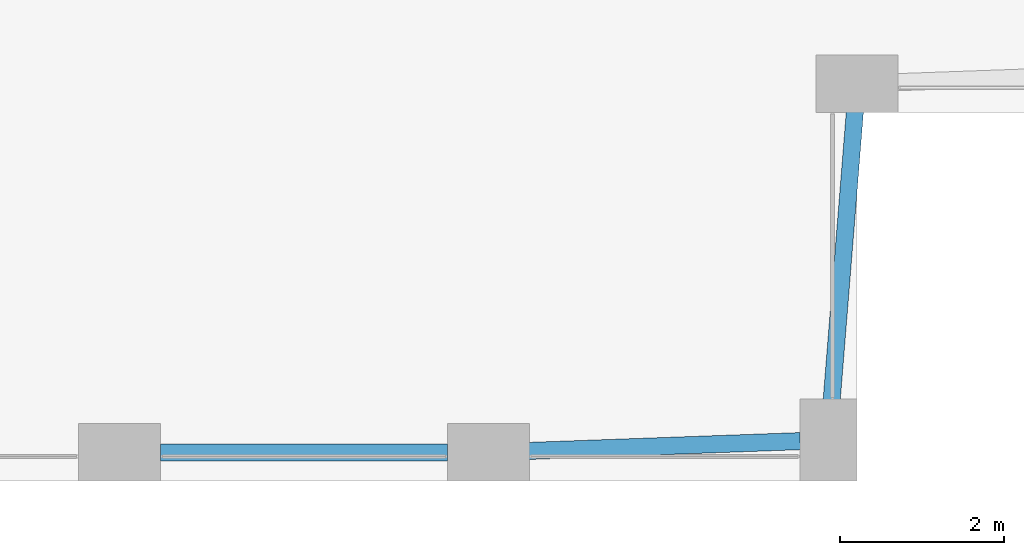
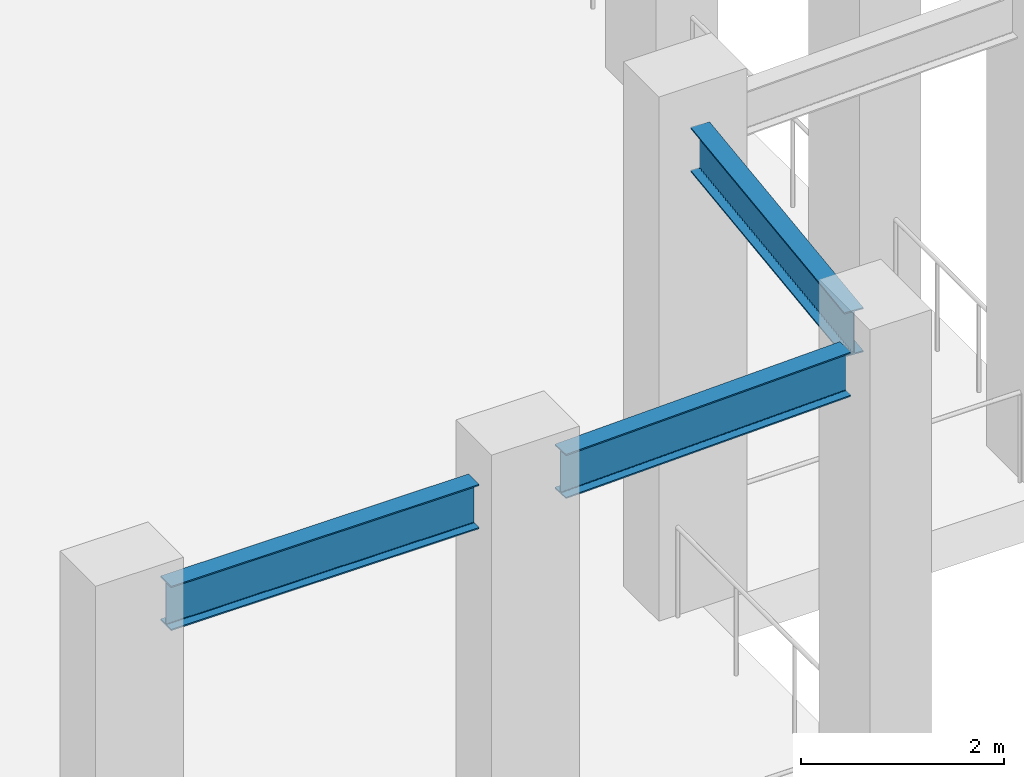
# One storey, part 4 of 14: 3 beams.
"""IFC4 building model written with IfcOpenShell, lengths in metres."""

from ifc_helpers import new_model, si_unit, direction, frame, origin, origin_2d, place, context, subcontext, project, spatial, i_section, extrude, material, material_profile, profile_set, type_object, element, save


model = new_model("IFC4")

# Units and contexts
model_context = context("Model", 3, precision=1e-05, world=origin(), true_north=direction((0.0, 1.0)))
body_context = subcontext(model_context, "Body", "Model", "MODEL_VIEW")
ifc_project = project(units=[si_unit("LENGTHUNIT", "METRE"), si_unit("AREAUNIT", "SQUARE_METRE"), si_unit("VOLUMEUNIT", "CUBIC_METRE"), si_unit("PLANEANGLEUNIT", "RADIAN"), si_unit("MASSUNIT", "GRAM", prefix="KILO")], contexts=[model_context])

# Site, building, storey
site_placement = place(None, origin())
site = spatial("IfcSite", under=ifc_project, at=site_placement, CompositionType="ELEMENT")
building_placement = place(site_placement, origin())
building = spatial("IfcBuilding", under=site, at=building_placement, Name="Brigalow Station Residences", CompositionType="ELEMENT")
storey_placement = place(building_placement, frame((0.0, 0.0, 185.39990234375)))
storey = spatial("IfcBuildingStorey", under=building, at=storey_placement, Name="L54", CompositionType="ELEMENT", Elevation=185.39990234375)

# Beams
ifc_material = material(Name="Steel Grade 300 to AS/NZS 3679.1", Category="steel")
ifc_material_profile = material_profile(ifc_material, i_section(OverallWidth=0.208984375, OverallDepth=0.532958984375, WebThickness=0.01025390625, FlangeThickness=0.015625, FilletRadius=0.013916015625, at=origin_2d()), Name="530UB92.4")
ifc_profile_set = profile_set([ifc_material_profile], Name="Steel Grade 300 to AS/NZS 3679.1")
beam_type = type_object("IfcBeamType", Name="BELT GIRDER 530UB92.4", PredefinedType="USERDEFINED", material=ifc_profile_set)
beam_1_placement = place(storey_placement, frame((59.0, 0.35009765625, 5.53369140625), z_axis=(1.0, 0.0, 0.0), x_axis=(0.0, 1.0, 0.0)))
element("IfcBeam", 1, at=beam_1_placement, inside=storey, type_object=beam_type, Name="BELT GIRDER 1 L54", ObjectType="BELT GIRDER", PredefinedType="USERDEFINED", context=body_context, shape_type="SweptSolid", body=[
    extrude(i_section(OverallWidth=0.208984375, OverallDepth=0.532958984375, WebThickness=0.01025390625, FlangeThickness=0.015625, FilletRadius=0.013916015625, at=origin_2d()), origin(), (0.0, 0.0, 1.0), 3.5),
])
beam_2_placement = place(storey_placement, frame((63.4951171875, 0.367919921875, 5.53369140625), z_axis=(0.999347456127, 0.036120104264, 0.0), x_axis=(-0.036120104264, 0.999347456127, 0.0)))
element("IfcBeam", 2, at=beam_2_placement, inside=storey, type_object=beam_type, Name="BELT GIRDER 2 L54", ObjectType="BELT GIRDER", PredefinedType="USERDEFINED", context=body_context, shape_type="SweptSolid", body=[
    extrude(i_section(OverallWidth=0.208984375, OverallDepth=0.532958984375, WebThickness=0.01025390625, FlangeThickness=0.015625, FilletRadius=0.013916015625, at=origin_2d()), origin(), (0.0, 0.0, 1.0), 3.31201171875),
])
beam_3_placement = place(storey_placement, frame((67.189453125, 0.989990234375, 5.53369140625), z_axis=(0.080195851422, 0.996779125692, 0.0), x_axis=(-0.996779125692, 0.080195851422, 0.0)))
element("IfcBeam", 3, at=beam_3_placement, inside=storey, type_object=beam_type, Name="BELT GIRDER 3 L54", ObjectType="BELT GIRDER", PredefinedType="USERDEFINED", context=body_context, shape_type="SweptSolid", body=[
    extrude(i_section(OverallWidth=0.208984375, OverallDepth=0.532958984375, WebThickness=0.01025390625, FlangeThickness=0.015625, FilletRadius=0.013916015625, at=origin_2d()), origin(), (0.0, 0.0, 1.0), 3.531494140625),
])

save(model, "model.ifc")
